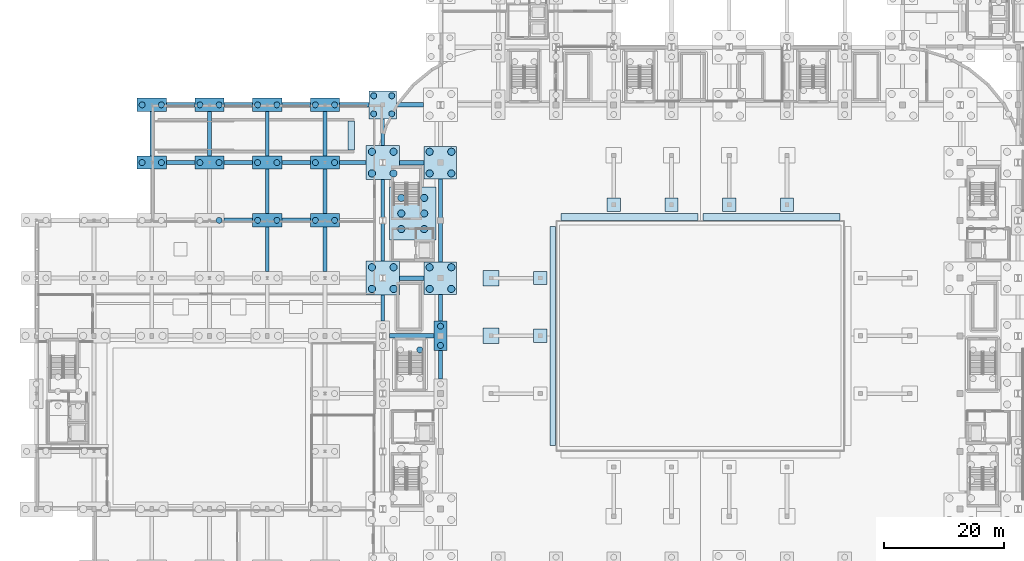
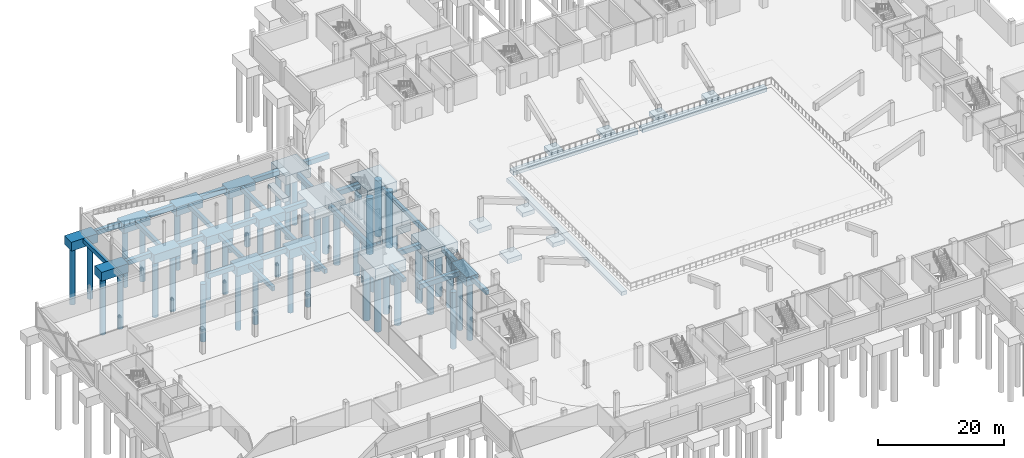
# One storey, part 4 of 67: 57 footings, 50 piles.
"""IFC4 building model written with IfcOpenShell, lengths in metres."""

from ifc_helpers import new_model, si_unit, direction, frame, origin, origin_2d, place, context, subcontext, project, spatial, polyline, rectangle, circle, outline, extrude, material, material_profile, profile_set, type_object, element, save


model = new_model("IFC4")

# Units and contexts
model_context = context("Model", 3, precision=1e-05, world=origin(), true_north=direction((0.0, 1.0)))
body_context = subcontext(model_context, "Body", "Model", "MODEL_VIEW")
ifc_project = project(units=[si_unit("LENGTHUNIT", "METRE"), si_unit("AREAUNIT", "SQUARE_METRE"), si_unit("VOLUMEUNIT", "CUBIC_METRE"), si_unit("PLANEANGLEUNIT", "RADIAN"), si_unit("MASSUNIT", "GRAM", prefix="KILO")], contexts=[model_context])

# Site, building, storey
site_placement = place(None, origin())
site = spatial("IfcSite", under=ifc_project, at=site_placement, CompositionType="ELEMENT")
building_placement = place(site_placement, origin())
building = spatial("IfcBuilding", under=site, at=building_placement, Name="Caelomonte Colonnade Arena", CompositionType="ELEMENT")
storey_placement = place(building_placement, frame((0.0, 0.0, -4.800048828125)))
storey = spatial("IfcBuildingStorey", under=building, at=storey_placement, Name="B1", CompositionType="ELEMENT", Elevation=-4.800048828125)

# Footings
ifc_material = material(Name="Concrete C40/50", Category="concrete")
footing_type_1 = type_object("IfcFootingType", Name="STR-FB-GB01", PredefinedType="FOOTING_BEAM", material=ifc_material)
footing_1_placement = place(storey_placement, frame((0.0, 0.0, -1.39990234375)))
element("IfcFooting", 1, at=footing_1_placement, inside=storey, type_object=footing_type_1, Name="Ground tie beam X (57.6..67.2, Y=67.2)", PredefinedType="FOOTING_BEAM", context=body_context, shape_type="SweptSolid", body=[
    extrude(outline(polyline([(58.699951171875, 66.824951171875), (66.10009765625, 66.824951171875), (66.10009765625, 67.574951171875), (58.699951171875, 67.574951171875), (58.699951171875, 66.824951171875)])), origin(), (0.0, 0.0, 1.0), 0.949951171875),
])
footing_2_placement = place(storey_placement, frame((0.0, 0.0, -1.39990234375)))
element("IfcFooting", 2, at=footing_2_placement, inside=storey, type_object=footing_type_1, Name="Ground tie beam X (57.6..67.2, Y=76.8)", PredefinedType="FOOTING_BEAM", context=body_context, shape_type="SweptSolid", body=[
    extrude(outline(polyline([(60.39990234375, 76.425048828125), (64.5, 76.425048828125), (64.5, 77.175048828125), (60.39990234375, 77.175048828125), (60.39990234375, 76.425048828125)])), origin(), (0.0, 0.0, 1.0), 0.949951171875),
])
footing_3_placement = place(storey_placement, frame((0.0, 0.0, -1.39990234375)))
element("IfcFooting", 3, at=footing_3_placement, inside=storey, type_object=footing_type_1, Name="Ground tie beam X (57.6..67.2, Y=96.0)", PredefinedType="FOOTING_BEAM", context=body_context, shape_type="SweptSolid", body=[
    extrude(outline(polyline([(60.39990234375, 95.625), (64.5, 95.625), (64.5, 96.375), (60.39990234375, 96.375), (60.39990234375, 95.625)])), origin(), (0.0, 0.0, 1.0), 0.949951171875),
])
footing_4_placement = place(storey_placement, frame((0.0, 0.0, -1.39990234375)))
element("IfcFooting", 4, at=footing_4_placement, inside=storey, type_object=footing_type_1, Name="Ground tie beam X (57.6..67.2, Y=105.6)", PredefinedType="FOOTING_BEAM", context=body_context, shape_type="SweptSolid", body=[
    extrude(outline(polyline([(59.919921875, 105.22509765625), (64.39990234375, 105.22509765625), (64.39990234375, 105.97509765625), (59.919921875, 105.97509765625), (59.919921875, 105.22509765625)])), origin(), (0.0, 0.0, 1.0), 0.949951171875),
])
footing_type_2 = type_object("IfcFootingType", Name="STR-FB-GB02", PredefinedType="FOOTING_BEAM", material=ifc_material)
footing_5_placement = place(storey_placement, frame((0.0, 0.0, -1.349853515625)))
element("IfcFooting", 5, at=footing_5_placement, inside=storey, type_object=footing_type_2, Name="Ground tie beam X (28.8..38.4, Y=86.4)", PredefinedType="FOOTING_BEAM", context=body_context, shape_type="SweptSolid", body=[
    extrude(outline(polyline([(31.239990234375, 86.050048828125), (35.9599609375, 86.050048828125), (35.9599609375, 86.75), (31.239990234375, 86.75), (31.239990234375, 86.050048828125)])), origin(), (0.0, 0.0, 1.0), 0.89990234375),
])
footing_6_placement = place(storey_placement, frame((0.0, 0.0, -1.349853515625)))
element("IfcFooting", 6, at=footing_6_placement, inside=storey, type_object=footing_type_2, Name="Ground tie beam X (38.4..48.0, Y=86.4)", PredefinedType="FOOTING_BEAM", context=body_context, shape_type="SweptSolid", body=[
    extrude(outline(polyline([(40.840087890625, 86.050048828125), (45.56005859375, 86.050048828125), (45.56005859375, 86.75), (40.840087890625, 86.75), (40.840087890625, 86.050048828125)])), origin(), (0.0, 0.0, 1.0), 0.89990234375),
])
footing_7_placement = place(storey_placement, frame((0.0, 0.0, -1.349853515625)))
element("IfcFooting", 7, at=footing_7_placement, inside=storey, type_object=footing_type_2, Name="Ground tie beam X (19.2..28.8, Y=96.0)", PredefinedType="FOOTING_BEAM", context=body_context, shape_type="SweptSolid", body=[
    extrude(outline(polyline([(21.639892578125, 95.64990234375), (26.360107421875, 95.64990234375), (26.360107421875, 96.35009765625), (21.639892578125, 96.35009765625), (21.639892578125, 95.64990234375)])), origin(), (0.0, 0.0, 1.0), 0.89990234375),
])
footing_8_placement = place(storey_placement, frame((0.0, 0.0, -1.349853515625)))
element("IfcFooting", 8, at=footing_8_placement, inside=storey, type_object=footing_type_2, Name="Ground tie beam X (28.8..38.4, Y=96.0)", PredefinedType="FOOTING_BEAM", context=body_context, shape_type="SweptSolid", body=[
    extrude(outline(polyline([(31.239990234375, 95.64990234375), (35.9599609375, 95.64990234375), (35.9599609375, 96.35009765625), (31.239990234375, 96.35009765625), (31.239990234375, 95.64990234375)])), origin(), (0.0, 0.0, 1.0), 0.89990234375),
])
footing_9_placement = place(storey_placement, frame((0.0, 0.0, -1.349853515625)))
element("IfcFooting", 9, at=footing_9_placement, inside=storey, type_object=footing_type_2, Name="Ground tie beam X (38.4..48.0, Y=96.0)", PredefinedType="FOOTING_BEAM", context=body_context, shape_type="SweptSolid", body=[
    extrude(outline(polyline([(40.840087890625, 95.64990234375), (45.56005859375, 95.64990234375), (45.56005859375, 96.35009765625), (40.840087890625, 96.35009765625), (40.840087890625, 95.64990234375)])), origin(), (0.0, 0.0, 1.0), 0.89990234375),
])
footing_10_placement = place(storey_placement, frame((0.0, 0.0, -1.349853515625)))
element("IfcFooting", 10, at=footing_10_placement, inside=storey, type_object=footing_type_2, Name="Ground tie beam X (48.0..57.6, Y=96.0)", PredefinedType="FOOTING_BEAM", context=body_context, shape_type="SweptSolid", body=[
    extrude(outline(polyline([(50.43994140625, 95.64990234375), (54.800048828125, 95.64990234375), (54.800048828125, 96.35009765625), (50.43994140625, 96.35009765625), (50.43994140625, 95.64990234375)])), origin(), (0.0, 0.0, 1.0), 0.89990234375),
])
footing_11_placement = place(storey_placement, frame((0.0, 0.0, -1.349853515625)))
element("IfcFooting", 11, at=footing_11_placement, inside=storey, type_object=footing_type_2, Name="Ground tie beam X (19.2..28.8, Y=105.6)", PredefinedType="FOOTING_BEAM", context=body_context, shape_type="SweptSolid", body=[
    extrude(outline(polyline([(21.639892578125, 105.25), (26.360107421875, 105.25), (26.360107421875, 105.949951171875), (21.639892578125, 105.949951171875), (21.639892578125, 105.25)])), origin(), (0.0, 0.0, 1.0), 0.89990234375),
])
footing_12_placement = place(storey_placement, frame((0.0, 0.0, -1.349853515625)))
element("IfcFooting", 12, at=footing_12_placement, inside=storey, type_object=footing_type_2, Name="Ground tie beam X (28.8..38.4, Y=105.6)", PredefinedType="FOOTING_BEAM", context=body_context, shape_type="SweptSolid", body=[
    extrude(outline(polyline([(31.239990234375, 105.25), (35.9599609375, 105.25), (35.9599609375, 105.949951171875), (31.239990234375, 105.949951171875), (31.239990234375, 105.25)])), origin(), (0.0, 0.0, 1.0), 0.89990234375),
])
footing_13_placement = place(storey_placement, frame((0.0, 0.0, -1.349853515625)))
element("IfcFooting", 13, at=footing_13_placement, inside=storey, type_object=footing_type_2, Name="Ground tie beam X (38.4..48.0, Y=105.6)", PredefinedType="FOOTING_BEAM", context=body_context, shape_type="SweptSolid", body=[
    extrude(outline(polyline([(40.840087890625, 105.25), (45.56005859375, 105.25), (45.56005859375, 105.949951171875), (40.840087890625, 105.949951171875), (40.840087890625, 105.25)])), origin(), (0.0, 0.0, 1.0), 0.89990234375),
])
footing_14_placement = place(storey_placement, frame((0.0, 0.0, -1.349853515625)))
element("IfcFooting", 14, at=footing_14_placement, inside=storey, type_object=footing_type_2, Name="Ground tie beam X (48.0..57.6, Y=105.6)", PredefinedType="FOOTING_BEAM", context=body_context, shape_type="SweptSolid", body=[
    extrude(outline(polyline([(50.43994140625, 105.25), (55.280029296875, 105.25), (55.280029296875, 105.949951171875), (50.43994140625, 105.949951171875), (50.43994140625, 105.25)])), origin(), (0.0, 0.0, 1.0), 0.89990234375),
])
footing_type_3 = type_object("IfcFootingType", Name="STR-FB-GB04", PredefinedType="FOOTING_BEAM", material=ifc_material)
footing_15_placement = place(storey_placement, frame((0.0, 0.0, -1.25)))
element("IfcFooting", 15, at=footing_15_placement, inside=storey, type_object=footing_type_3, Name="Ground tie beam Y (X=19.2, 96.0..105.6)", PredefinedType="FOOTING_BEAM", context=body_context, shape_type="SweptSolid", body=[
    extrude(outline(polyline([(18.89990234375, 97.10009765625), (19.5, 97.10009765625), (19.5, 104.5), (18.89990234375, 104.5), (18.89990234375, 97.10009765625)])), origin(), (0.0, 0.0, 1.0), 0.800048828125),
])
footing_16_placement = place(storey_placement, frame((0.0, 0.0, -1.25)))
element("IfcFooting", 16, at=footing_16_placement, inside=storey, type_object=footing_type_3, Name="Ground tie beam Y (X=28.8, 96.0..105.6)", PredefinedType="FOOTING_BEAM", context=body_context, shape_type="SweptSolid", body=[
    extrude(outline(polyline([(28.5, 97.10009765625), (29.10009765625, 97.10009765625), (29.10009765625, 104.5), (28.5, 104.5), (28.5, 97.10009765625)])), origin(), (0.0, 0.0, 1.0), 0.800048828125),
])
footing_17_placement = place(storey_placement, frame((0.0, 0.0, -1.25)))
element("IfcFooting", 17, at=footing_17_placement, inside=storey, type_object=footing_type_3, Name="Ground tie beam Y (X=38.4, 76.8..86.4)", PredefinedType="FOOTING_BEAM", context=body_context, shape_type="SweptSolid", body=[
    extrude(outline(polyline([(38.10009765625, 77.89990234375), (38.699951171875, 77.89990234375), (38.699951171875, 85.300048828125), (38.10009765625, 85.300048828125), (38.10009765625, 77.89990234375)])), origin(), (0.0, 0.0, 1.0), 0.800048828125),
])
footing_18_placement = place(storey_placement, frame((0.0, 0.0, -1.25)))
element("IfcFooting", 18, at=footing_18_placement, inside=storey, type_object=footing_type_3, Name="Ground tie beam Y (X=38.4, 86.4..96.0)", PredefinedType="FOOTING_BEAM", context=body_context, shape_type="SweptSolid", body=[
    extrude(outline(polyline([(38.10009765625, 87.5), (38.699951171875, 87.5), (38.699951171875, 94.89990234375), (38.10009765625, 94.89990234375), (38.10009765625, 87.5)])), origin(), (0.0, 0.0, 1.0), 0.800048828125),
])
footing_19_placement = place(storey_placement, frame((0.0, 0.0, -1.25)))
element("IfcFooting", 19, at=footing_19_placement, inside=storey, type_object=footing_type_3, Name="Ground tie beam Y (X=38.4, 96.0..105.6)", PredefinedType="FOOTING_BEAM", context=body_context, shape_type="SweptSolid", body=[
    extrude(outline(polyline([(38.10009765625, 97.10009765625), (38.699951171875, 97.10009765625), (38.699951171875, 104.5), (38.10009765625, 104.5), (38.10009765625, 97.10009765625)])), origin(), (0.0, 0.0, 1.0), 0.800048828125),
])
footing_20_placement = place(storey_placement, frame((0.0, 0.0, -1.25)))
element("IfcFooting", 20, at=footing_20_placement, inside=storey, type_object=footing_type_3, Name="Ground tie beam Y (X=48.0, 76.8..86.4)", PredefinedType="FOOTING_BEAM", context=body_context, shape_type="SweptSolid", body=[
    extrude(outline(polyline([(47.699951171875, 77.89990234375), (48.300048828125, 77.89990234375), (48.300048828125, 85.300048828125), (47.699951171875, 85.300048828125), (47.699951171875, 77.89990234375)])), origin(), (0.0, 0.0, 1.0), 0.800048828125),
])
footing_21_placement = place(storey_placement, frame((0.0, 0.0, -1.25)))
element("IfcFooting", 21, at=footing_21_placement, inside=storey, type_object=footing_type_3, Name="Ground tie beam Y (X=48.0, 86.4..96.0)", PredefinedType="FOOTING_BEAM", context=body_context, shape_type="SweptSolid", body=[
    extrude(outline(polyline([(47.699951171875, 87.5), (48.300048828125, 87.5), (48.300048828125, 94.89990234375), (47.699951171875, 94.89990234375), (47.699951171875, 87.5)])), origin(), (0.0, 0.0, 1.0), 0.800048828125),
])
footing_22_placement = place(storey_placement, frame((0.0, 0.0, -1.25)))
element("IfcFooting", 22, at=footing_22_placement, inside=storey, type_object=footing_type_3, Name="Ground tie beam Y (X=48.0, 96.0..105.6)", PredefinedType="FOOTING_BEAM", context=body_context, shape_type="SweptSolid", body=[
    extrude(outline(polyline([(47.699951171875, 97.10009765625), (48.300048828125, 97.10009765625), (48.300048828125, 104.5), (47.699951171875, 104.5), (47.699951171875, 97.10009765625)])), origin(), (0.0, 0.0, 1.0), 0.800048828125),
])
footing_23_placement = place(storey_placement, frame((0.0, 0.0, -1.25)))
element("IfcFooting", 23, at=footing_23_placement, inside=storey, type_object=footing_type_3, Name="Ground tie beam Y (X=57.6, 67.2..76.8)", PredefinedType="FOOTING_BEAM", context=body_context, shape_type="SweptSolid", body=[
    extrude(outline(polyline([(57.300048828125, 69.639892578125), (57.89990234375, 69.639892578125), (57.89990234375, 74.0), (57.300048828125, 74.0), (57.300048828125, 69.639892578125)])), origin(), (0.0, 0.0, 1.0), 0.800048828125),
])
footing_24_placement = place(storey_placement, frame((0.0, 0.0, -1.25)))
element("IfcFooting", 24, at=footing_24_placement, inside=storey, type_object=footing_type_3, Name="Ground tie beam Y (X=57.6, 76.8..96.0)", PredefinedType="FOOTING_BEAM", context=body_context, shape_type="SweptSolid", body=[
    extrude(outline(polyline([(57.300048828125, 79.60009765625), (57.89990234375, 79.60009765625), (57.89990234375, 93.199951171875), (57.300048828125, 93.199951171875), (57.300048828125, 79.60009765625)])), origin(), (0.0, 0.0, 1.0), 0.800048828125),
])
footing_25_placement = place(storey_placement, frame((0.0, 0.0, -1.25)))
element("IfcFooting", 25, at=footing_25_placement, inside=storey, type_object=footing_type_3, Name="Ground tie beam Y (X=57.6, 96.0..105.6)", PredefinedType="FOOTING_BEAM", context=body_context, shape_type="SweptSolid", body=[
    extrude(outline(polyline([(57.300048828125, 98.800048828125), (57.89990234375, 98.800048828125), (57.89990234375, 103.280029296875), (57.300048828125, 103.280029296875), (57.300048828125, 98.800048828125)])), origin(), (0.0, 0.0, 1.0), 0.800048828125),
])
footing_26_placement = place(storey_placement, frame((0.0, 0.0, -1.25)))
element("IfcFooting", 26, at=footing_26_placement, inside=storey, type_object=footing_type_3, Name="Ground tie beam Y (X=67.2, 57.6..67.2)", PredefinedType="FOOTING_BEAM", context=body_context, shape_type="SweptSolid", body=[
    extrude(outline(polyline([(66.89990234375, 60.0400390625), (67.5, 60.0400390625), (67.5, 64.760009765625), (66.89990234375, 64.760009765625), (66.89990234375, 60.0400390625)])), origin(), (0.0, 0.0, 1.0), 0.800048828125),
])
footing_27_placement = place(storey_placement, frame((0.0, 0.0, -1.25)))
element("IfcFooting", 27, at=footing_27_placement, inside=storey, type_object=footing_type_3, Name="Ground tie beam Y (X=67.2, 67.2..76.8)", PredefinedType="FOOTING_BEAM", context=body_context, shape_type="SweptSolid", body=[
    extrude(outline(polyline([(66.89990234375, 69.639892578125), (67.5, 69.639892578125), (67.5, 74.10009765625), (66.89990234375, 74.10009765625), (66.89990234375, 69.639892578125)])), origin(), (0.0, 0.0, 1.0), 0.800048828125),
])
footing_28_placement = place(storey_placement, frame((0.0, 0.0, -1.25)))
element("IfcFooting", 28, at=footing_28_placement, inside=storey, type_object=footing_type_3, Name="Ground tie beam Y (X=67.2, 76.8..96.0)", PredefinedType="FOOTING_BEAM", context=body_context, shape_type="SweptSolid", body=[
    extrude(outline(polyline([(66.89990234375, 79.5), (67.5, 79.5), (67.5, 93.300048828125), (66.89990234375, 93.300048828125), (66.89990234375, 79.5)])), origin(), (0.0, 0.0, 1.0), 0.800048828125),
])
footing_type_4 = type_object("IfcFootingType", Name="STR-FC-PC01", PredefinedType="PILE_CAP", material=ifc_material)
for number, where, z_axis, x_axis, name in (
    (29, (57.60009765625, 76.800048828125, -2.64990234375), (0.0, 0.0, 1.0), (1.0, 0.0, 0.0), "Pile cap FC-0576-0768"),
    (30, (57.60009765625, 96.0, -2.64990234375), (0.0, 0.0, 1.0), (1.0, 0.0, 0.0), "Pile cap FC-0576-0960"),
):
    element("IfcFooting", number, at=place(storey_placement, frame(where, z_axis=z_axis, x_axis=x_axis)), inside=storey, type_object=footing_type_4, Name=name, PredefinedType="PILE_CAP", context=body_context, shape_type="SweptSolid", body=[
        extrude(rectangle(XDim=5.60009765625, YDim=5.60009765625, at=origin_2d()), origin(), (0.0, 0.0, 1.0), 2.199951171875),
    ])
footing_type_5 = type_object("IfcFootingType", Name="STR-FC-PC02", PredefinedType="PILE_CAP", material=ifc_material)
for number, where, z_axis, x_axis, name in (
    (31, (67.199951171875, 76.800048828125, -2.449951171875), (0.0, 0.0, 1.0), (1.0, 0.0, 0.0), "Pile cap FC-0672-0768"),
    (32, (67.199951171875, 96.0, -2.449951171875), (0.0, 0.0, 1.0), (1.0, 0.0, 0.0), "Pile cap FC-0672-0960"),
):
    element("IfcFooting", number, at=place(storey_placement, frame(where, z_axis=z_axis, x_axis=x_axis)), inside=storey, type_object=footing_type_5, Name=name, PredefinedType="PILE_CAP", context=body_context, shape_type="SweptSolid", body=[
        extrude(rectangle(XDim=5.39990234375, YDim=5.39990234375, at=origin_2d()), origin(), (0.0, 0.0, 1.0), 2.0),
    ])
footing_type_6 = type_object("IfcFootingType", Name="STR-FC-PC05", PredefinedType="PILE_CAP", material=ifc_material)
footing_29_placement = place(storey_placement, frame((57.60009765625, 105.60009765625, -2.14990234375), z_axis=(0.0, 0.0, 1.0), x_axis=(1.0, 0.0, 0.0)))
element("IfcFooting", 33, at=footing_29_placement, inside=storey, type_object=footing_type_6, Name="Pile cap FC-0576-1056", PredefinedType="PILE_CAP", context=body_context, shape_type="SweptSolid", body=[
    extrude(rectangle(XDim=4.639892578125, YDim=4.639892578125, at=origin_2d()), origin(), (0.0, 0.0, 1.0), 1.699951171875),
])
footing_type_7 = type_object("IfcFootingType", Name="STR-FC-PC06", PredefinedType="PILE_CAP", material=ifc_material)
for number, where, z_axis, x_axis, name in (
    (34, (19.199951171875, 96.0, -2.14990234375), (0.0, 0.0, 1.0), (1.0, 0.0, 0.0), "Pile cap FC-0192-0960"),
    (35, (19.199951171875, 105.60009765625, -2.14990234375), (0.0, 0.0, 1.0), (1.0, 0.0, 0.0), "Pile cap FC-0192-1056"),
    (36, (28.800048828125, 96.0, -2.14990234375), (0.0, 0.0, 1.0), (1.0, 0.0, 0.0), "Pile cap FC-0288-0960"),
    (37, (28.800048828125, 105.60009765625, -2.14990234375), (0.0, 0.0, 1.0), (1.0, 0.0, 0.0), "Pile cap FC-0288-1056"),
    (38, (38.39990234375, 86.39990234375, -2.14990234375), (0.0, 0.0, 1.0), (1.0, 0.0, 0.0), "Pile cap FC-0384-0864"),
    (39, (38.39990234375, 96.0, -2.14990234375), (0.0, 0.0, 1.0), (1.0, 0.0, 0.0), "Pile cap FC-0384-0960"),
    (40, (38.39990234375, 105.60009765625, -2.14990234375), (0.0, 0.0, 1.0), (1.0, 0.0, 0.0), "Pile cap FC-0384-1056"),
    (41, (48.0, 86.39990234375, -2.14990234375), (0.0, 0.0, 1.0), (1.0, 0.0, 0.0), "Pile cap FC-0480-0864"),
    (42, (48.0, 96.0, -2.14990234375), (0.0, 0.0, 1.0), (1.0, 0.0, 0.0), "Pile cap FC-0480-0960"),
    (43, (48.0, 105.60009765625, -2.14990234375), (0.0, 0.0, 1.0), (1.0, 0.0, 0.0), "Pile cap FC-0480-1056"),
):
    element("IfcFooting", number, at=place(storey_placement, frame(where, z_axis=z_axis, x_axis=x_axis)), inside=storey, type_object=footing_type_7, Name=name, PredefinedType="PILE_CAP", context=body_context, shape_type="SweptSolid", body=[
        extrude(rectangle(XDim=4.8798828125, YDim=2.199951171875, at=origin_2d()), origin(), (0.0, 0.0, 1.0), 1.699951171875),
    ])
footing_type_8 = type_object("IfcFootingType", Name="STR-FC-PC07", PredefinedType="PILE_CAP", material=ifc_material)
footing_30_placement = place(storey_placement, frame((67.199951171875, 67.199951171875, -2.14990234375), z_axis=(0.0, 0.0, 1.0), x_axis=(1.0, 0.0, 0.0)))
element("IfcFooting", 44, at=footing_30_placement, inside=storey, type_object=footing_type_8, Name="Pile cap FC-0672-0672", PredefinedType="PILE_CAP", context=body_context, shape_type="SweptSolid", body=[
    extrude(rectangle(XDim=2.199951171875, YDim=4.8798828125, at=origin_2d()), origin(), (0.0, 0.0, 1.0), 1.699951171875),
])
footing_type_9 = type_object("IfcFootingType", Name="STR-FC-PC10", PredefinedType="PILE_CAP", material=ifc_material)
footing_31_placement = place(storey_placement, frame((62.58740234375, 87.53759765625, -2.64990234375), z_axis=(0.0, 0.0, 1.0), x_axis=(1.0, 0.0, 0.0)))
element("IfcFooting", 45, at=footing_31_placement, inside=storey, type_object=footing_type_9, Name="Core C4 pile cap", PredefinedType="PILE_CAP", context=body_context, shape_type="SweptSolid", body=[
    extrude(rectangle(XDim=7.800048828125, YDim=8.800048828125, at=origin_2d()), origin(), (0.0, 0.0, 1.0), 2.199951171875),
])
footing_type_10 = type_object("IfcFootingType", Name="STR-FD-PF01", PredefinedType="PAD_FOOTING", material=ifc_material)
for number, where, z_axis, x_axis, name in (
    (46, (75.60009765625, 67.199951171875, -1.349853515625), (0.0, 0.0, 1.0), (1.0, 0.0, 0.0), "Raker mid pier footing W-67"),
    (47, (75.60009765625, 76.800048828125, -1.349853515625), (0.0, 0.0, 1.0), (1.0, 0.0, 0.0), "Raker mid pier footing W-76"),
):
    element("IfcFooting", number, at=place(storey_placement, frame(where, z_axis=z_axis, x_axis=x_axis)), inside=storey, type_object=footing_type_10, Name=name, PredefinedType="PAD_FOOTING", context=body_context, shape_type="SweptSolid", body=[
        extrude(rectangle(XDim=2.60009765625, YDim=2.60009765625, at=origin_2d()), origin(), (0.0, 0.0, 1.0), 0.89990234375),
    ])
footing_type_11 = type_object("IfcFootingType", Name="STR-FD-PF02", PredefinedType="PAD_FOOTING", material=ifc_material)
for number, where, z_axis, x_axis, name in (
    (48, (96.0, 89.0, -1.25), (0.0, 0.0, 1.0), (1.0, 0.0, 0.0), "Raker inner pier footing N-96"),
    (49, (105.60009765625, 89.0, -1.25), (0.0, 0.0, 1.0), (1.0, 0.0, 0.0), "Raker inner pier footing N-105"),
    (50, (115.199951171875, 89.0, -1.25), (0.0, 0.0, 1.0), (1.0, 0.0, 0.0), "Raker inner pier footing N-115"),
    (51, (124.800048828125, 89.0, -1.25), (0.0, 0.0, 1.0), (1.0, 0.0, 0.0), "Raker inner pier footing N-124"),
    (52, (83.800048828125, 67.199951171875, -1.25), (0.0, 0.0, 1.0), (1.0, 0.0, 0.0), "Raker inner pier footing W-67"),
    (53, (83.800048828125, 76.800048828125, -1.25), (0.0, 0.0, 1.0), (1.0, 0.0, 0.0), "Raker inner pier footing W-76"),
):
    element("IfcFooting", number, at=place(storey_placement, frame(where, z_axis=z_axis, x_axis=x_axis)), inside=storey, type_object=footing_type_11, Name=name, PredefinedType="PAD_FOOTING", context=body_context, shape_type="SweptSolid", body=[
        extrude(rectangle(XDim=2.199951171875, YDim=2.199951171875, at=origin_2d()), origin(), (0.0, 0.0, 1.0), 0.800048828125),
    ])
footing_type_12 = type_object("IfcFootingType", Name="STR-FD-SF01", PredefinedType="STRIP_FOOTING", material=ifc_material)
footing_32_placement = place(storey_placement, frame((0.0, 0.0, -1.199951171875)))
element("IfcFooting", 54, at=footing_32_placement, inside=storey, type_object=footing_type_12, Name="Bowl perimeter strip footing SF-N1", PredefinedType="STRIP_FOOTING", context=body_context, shape_type="SweptSolid", body=[
    extrude(outline(polyline([(87.199951171875, 86.39990234375), (110.0, 86.39990234375), (110.0, 87.5), (87.199951171875, 87.5), (87.199951171875, 86.39990234375)])), origin(), (0.0, 0.0, 1.0), 0.75),
])
footing_33_placement = place(storey_placement, frame((0.0, 0.0, -1.199951171875)))
element("IfcFooting", 55, at=footing_33_placement, inside=storey, type_object=footing_type_12, Name="Bowl perimeter strip footing SF-N2", PredefinedType="STRIP_FOOTING", context=body_context, shape_type="SweptSolid", body=[
    extrude(outline(polyline([(110.800048828125, 86.39990234375), (133.60009765625, 86.39990234375), (133.60009765625, 87.5), (110.800048828125, 87.5), (110.800048828125, 86.39990234375)])), origin(), (0.0, 0.0, 1.0), 0.75),
])
footing_34_placement = place(storey_placement, frame((0.0, 0.0, -1.199951171875)))
element("IfcFooting", 56, at=footing_34_placement, inside=storey, type_object=footing_type_12, Name="Bowl perimeter strip footing SF-VR-TOE", PredefinedType="STRIP_FOOTING", context=body_context, shape_type="SweptSolid", body=[
    extrude(outline(polyline([(51.800048828125, 98.10009765625), (52.89990234375, 98.10009765625), (52.89990234375, 102.89990234375), (51.800048828125, 102.89990234375), (51.800048828125, 98.10009765625)])), origin(), (0.0, 0.0, 1.0), 0.75),
])
footing_type_13 = type_object("IfcFootingType", Name="STR-FD-SF02", PredefinedType="STRIP_FOOTING", material=ifc_material)
footing_35_placement = place(storey_placement, frame((0.0, 0.0, -1.14990234375)))
element("IfcFooting", 57, at=footing_35_placement, inside=storey, type_object=footing_type_13, Name="Bowl perimeter strip footing SF-W1", PredefinedType="STRIP_FOOTING", context=body_context, shape_type="SweptSolid", body=[
    extrude(outline(polyline([(85.375, 49.0), (86.324951171875, 49.0), (86.324951171875, 85.39990234375), (85.375, 85.39990234375), (85.375, 49.0)])), origin(), (0.0, 0.0, 1.0), 0.699951171875),
])

# Piles
ifc_material_profile_1 = material_profile(ifc_material, circle(Radius=0.5, at=origin_2d()), Name="PILE-D1000")
ifc_profile_set_1 = profile_set([ifc_material_profile_1], Name="Concrete C40/50")
pile_type_1 = type_object("IfcPileType", Name="STR-PL-D1000", PredefinedType="BORED", material=ifc_profile_set_1)
pile_placement = place(storey_placement, frame((63.75, 64.875, -2.25), z_axis=(0.0, 0.0, -1.0), x_axis=(1.0, 0.0, 0.0)))
element("IfcPile", 58, at=pile_placement, inside=storey, type_object=pile_type_1, Name="Stair ST-09 rock-socketed pile 4", PredefinedType="BORED", context=body_context, shape_type="SweptSolid", body=[
    extrude(circle(Radius=0.5, at=origin_2d()), origin(), (0.0, 0.0, 1.0), 10.949951171875),
])
for number, where, z_axis, x_axis, name in (
    (59, (17.60009765625, 96.0, -2.050048828125), (0.0, 0.0, -1.0), (1.0, 0.0, 0.0), "Rock-socketed bored pile FC-0192-0960-1"),
    (60, (20.800048828125, 96.0, -2.050048828125), (0.0, 0.0, -1.0), (1.0, 0.0, 0.0), "Rock-socketed bored pile FC-0192-0960-2"),
    (61, (17.60009765625, 105.60009765625, -2.050048828125), (0.0, 0.0, -1.0), (1.0, 0.0, 0.0), "Rock-socketed bored pile FC-0192-1056-1"),
    (62, (20.800048828125, 105.60009765625, -2.050048828125), (0.0, 0.0, -1.0), (1.0, 0.0, 0.0), "Rock-socketed bored pile FC-0192-1056-2"),
    (63, (30.39990234375, 86.39990234375, -2.050048828125), (0.0, 0.0, -1.0), (1.0, 0.0, 0.0), "Rock-socketed bored pile FC-0288-0864-2"),
    (64, (27.199951171875, 96.0, -2.050048828125), (0.0, 0.0, -1.0), (1.0, 0.0, 0.0), "Rock-socketed bored pile FC-0288-0960-1"),
    (65, (30.39990234375, 96.0, -2.050048828125), (0.0, 0.0, -1.0), (1.0, 0.0, 0.0), "Rock-socketed bored pile FC-0288-0960-2"),
    (66, (27.199951171875, 105.60009765625, -2.050048828125), (0.0, 0.0, -1.0), (1.0, 0.0, 0.0), "Rock-socketed bored pile FC-0288-1056-1"),
    (67, (30.39990234375, 105.60009765625, -2.050048828125), (0.0, 0.0, -1.0), (1.0, 0.0, 0.0), "Rock-socketed bored pile FC-0288-1056-2"),
    (68, (36.800048828125, 86.39990234375, -2.050048828125), (0.0, 0.0, -1.0), (1.0, 0.0, 0.0), "Rock-socketed bored pile FC-0384-0864-1"),
    (69, (40.0, 86.39990234375, -2.050048828125), (0.0, 0.0, -1.0), (1.0, 0.0, 0.0), "Rock-socketed bored pile FC-0384-0864-2"),
    (70, (36.800048828125, 96.0, -2.050048828125), (0.0, 0.0, -1.0), (1.0, 0.0, 0.0), "Rock-socketed bored pile FC-0384-0960-1"),
    (71, (40.0, 96.0, -2.050048828125), (0.0, 0.0, -1.0), (1.0, 0.0, 0.0), "Rock-socketed bored pile FC-0384-0960-2"),
    (72, (36.800048828125, 105.60009765625, -2.050048828125), (0.0, 0.0, -1.0), (1.0, 0.0, 0.0), "Rock-socketed bored pile FC-0384-1056-1"),
    (73, (40.0, 105.60009765625, -2.050048828125), (0.0, 0.0, -1.0), (1.0, 0.0, 0.0), "Rock-socketed bored pile FC-0384-1056-2"),
    (74, (46.39990234375, 86.39990234375, -2.050048828125), (0.0, 0.0, -1.0), (1.0, 0.0, 0.0), "Rock-socketed bored pile FC-0480-0864-1"),
    (75, (49.60009765625, 86.39990234375, -2.050048828125), (0.0, 0.0, -1.0), (1.0, 0.0, 0.0), "Rock-socketed bored pile FC-0480-0864-2"),
    (76, (46.39990234375, 96.0, -2.050048828125), (0.0, 0.0, -1.0), (1.0, 0.0, 0.0), "Rock-socketed bored pile FC-0480-0960-1"),
    (77, (49.60009765625, 96.0, -2.050048828125), (0.0, 0.0, -1.0), (1.0, 0.0, 0.0), "Rock-socketed bored pile FC-0480-0960-2"),
    (78, (46.39990234375, 105.60009765625, -2.050048828125), (0.0, 0.0, -1.0), (1.0, 0.0, 0.0), "Rock-socketed bored pile FC-0480-1056-1"),
    (79, (49.60009765625, 105.60009765625, -2.050048828125), (0.0, 0.0, -1.0), (1.0, 0.0, 0.0), "Rock-socketed bored pile FC-0480-1056-2"),
    (80, (56.10009765625, 104.10009765625, -2.050048828125), (0.0, 0.0, -1.0), (1.0, 0.0, 0.0), "Rock-socketed bored pile FC-0576-1056-1"),
    (81, (59.10009765625, 104.10009765625, -2.050048828125), (0.0, 0.0, -1.0), (1.0, 0.0, 0.0), "Rock-socketed bored pile FC-0576-1056-2"),
    (82, (56.10009765625, 107.10009765625, -2.050048828125), (0.0, 0.0, -1.0), (1.0, 0.0, 0.0), "Rock-socketed bored pile FC-0576-1056-3"),
    (83, (59.10009765625, 107.10009765625, -2.050048828125), (0.0, 0.0, -1.0), (1.0, 0.0, 0.0), "Rock-socketed bored pile FC-0576-1056-4"),
    (84, (67.199951171875, 65.60009765625, -2.050048828125), (0.0, 0.0, -1.0), (1.0, 0.0, 0.0), "Rock-socketed bored pile FC-0672-0672-1"),
    (85, (67.199951171875, 68.800048828125, -2.050048828125), (0.0, 0.0, -1.0), (1.0, 0.0, 0.0), "Rock-socketed bored pile FC-0672-0672-2"),
):
    element("IfcPile", number, at=place(storey_placement, frame(where, z_axis=z_axis, x_axis=x_axis)), inside=storey, type_object=pile_type_1, Name=name, PredefinedType="BORED", context=body_context, shape_type="SweptSolid", body=[
        extrude(circle(Radius=0.5, at=origin_2d()), origin(), (0.0, 0.0, 1.0), 11.14990234375),
    ])
ifc_material_profile_2 = material_profile(ifc_material, circle(Radius=0.60009765625, at=origin_2d()), Name="PILE-D1200")
ifc_profile_set_2 = profile_set([ifc_material_profile_2], Name="Concrete C40/50")
pile_type_2 = type_object("IfcPileType", Name="STR-PL-D1200", PredefinedType="BORED", material=ifc_profile_set_2)
for number, where, z_axis, x_axis, name in (
    (86, (60.6875, 84.9375, -2.550048828125), (0.0, 0.0, -1.0), (1.0, 0.0, 0.0), "Core C4 rock-socketed pile 1"),
    (87, (60.6875, 87.53759765625, -2.550048828125), (0.0, 0.0, -1.0), (1.0, 0.0, 0.0), "Core C4 rock-socketed pile 2"),
    (88, (60.6875, 90.137451171875, -2.550048828125), (0.0, 0.0, -1.0), (1.0, 0.0, 0.0), "Core C4 rock-socketed pile 3"),
    (89, (64.487548828125, 84.9375, -2.550048828125), (0.0, 0.0, -1.0), (1.0, 0.0, 0.0), "Core C4 rock-socketed pile 4"),
    (90, (64.487548828125, 87.53759765625, -2.550048828125), (0.0, 0.0, -1.0), (1.0, 0.0, 0.0), "Core C4 rock-socketed pile 5"),
    (91, (64.487548828125, 90.137451171875, -2.550048828125), (0.0, 0.0, -1.0), (1.0, 0.0, 0.0), "Core C4 rock-socketed pile 6"),
    (92, (55.800048828125, 75.0, -2.550048828125), (0.0, 0.0, -1.0), (1.0, 0.0, 0.0), "Rock-socketed bored pile FC-0576-0768-1"),
    (93, (59.39990234375, 75.0, -2.550048828125), (0.0, 0.0, -1.0), (1.0, 0.0, 0.0), "Rock-socketed bored pile FC-0576-0768-2"),
    (94, (55.800048828125, 78.60009765625, -2.550048828125), (0.0, 0.0, -1.0), (1.0, 0.0, 0.0), "Rock-socketed bored pile FC-0576-0768-3"),
    (95, (59.39990234375, 78.60009765625, -2.550048828125), (0.0, 0.0, -1.0), (1.0, 0.0, 0.0), "Rock-socketed bored pile FC-0576-0768-4"),
    (96, (55.800048828125, 94.199951171875, -2.550048828125), (0.0, 0.0, -1.0), (1.0, 0.0, 0.0), "Rock-socketed bored pile FC-0576-0960-1"),
    (97, (59.39990234375, 94.199951171875, -2.550048828125), (0.0, 0.0, -1.0), (1.0, 0.0, 0.0), "Rock-socketed bored pile FC-0576-0960-2"),
    (98, (55.800048828125, 97.800048828125, -2.550048828125), (0.0, 0.0, -1.0), (1.0, 0.0, 0.0), "Rock-socketed bored pile FC-0576-0960-3"),
    (99, (59.39990234375, 97.800048828125, -2.550048828125), (0.0, 0.0, -1.0), (1.0, 0.0, 0.0), "Rock-socketed bored pile FC-0576-0960-4"),
):
    element("IfcPile", number, at=place(storey_placement, frame(where, z_axis=z_axis, x_axis=x_axis)), inside=storey, type_object=pile_type_2, Name=name, PredefinedType="BORED", context=body_context, shape_type="SweptSolid", body=[
        extrude(circle(Radius=0.60009765625, at=origin_2d()), origin(), (0.0, 0.0, 1.0), 10.64990234375),
    ])
for number, where, z_axis, x_axis, name in (
    (100, (65.39990234375, 75.0, -2.349853515625), (0.0, 0.0, -1.0), (1.0, 0.0, 0.0), "Rock-socketed bored pile FC-0672-0768-1"),
    (101, (69.0, 75.0, -2.349853515625), (0.0, 0.0, -1.0), (1.0, 0.0, 0.0), "Rock-socketed bored pile FC-0672-0768-2"),
    (102, (65.39990234375, 78.60009765625, -2.349853515625), (0.0, 0.0, -1.0), (1.0, 0.0, 0.0), "Rock-socketed bored pile FC-0672-0768-3"),
    (103, (69.0, 78.60009765625, -2.349853515625), (0.0, 0.0, -1.0), (1.0, 0.0, 0.0), "Rock-socketed bored pile FC-0672-0768-4"),
    (104, (65.39990234375, 94.199951171875, -2.349853515625), (0.0, 0.0, -1.0), (1.0, 0.0, 0.0), "Rock-socketed bored pile FC-0672-0960-1"),
    (105, (69.0, 94.199951171875, -2.349853515625), (0.0, 0.0, -1.0), (1.0, 0.0, 0.0), "Rock-socketed bored pile FC-0672-0960-2"),
    (106, (65.39990234375, 97.800048828125, -2.349853515625), (0.0, 0.0, -1.0), (1.0, 0.0, 0.0), "Rock-socketed bored pile FC-0672-0960-3"),
    (107, (69.0, 97.800048828125, -2.349853515625), (0.0, 0.0, -1.0), (1.0, 0.0, 0.0), "Rock-socketed bored pile FC-0672-0960-4"),
):
    element("IfcPile", number, at=place(storey_placement, frame(where, z_axis=z_axis, x_axis=x_axis)), inside=storey, type_object=pile_type_2, Name=name, PredefinedType="BORED", context=body_context, shape_type="SweptSolid", body=[
        extrude(circle(Radius=0.60009765625, at=origin_2d()), origin(), (0.0, 0.0, 1.0), 10.85009765625),
    ])

save(model, "model.ifc")
